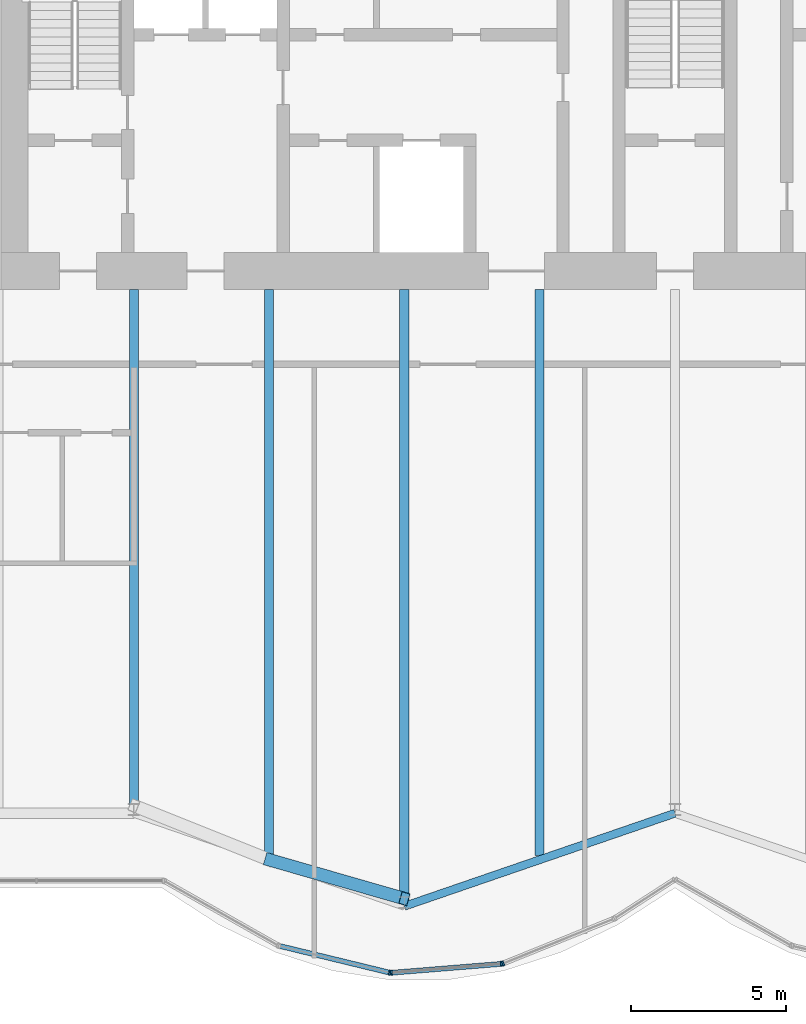
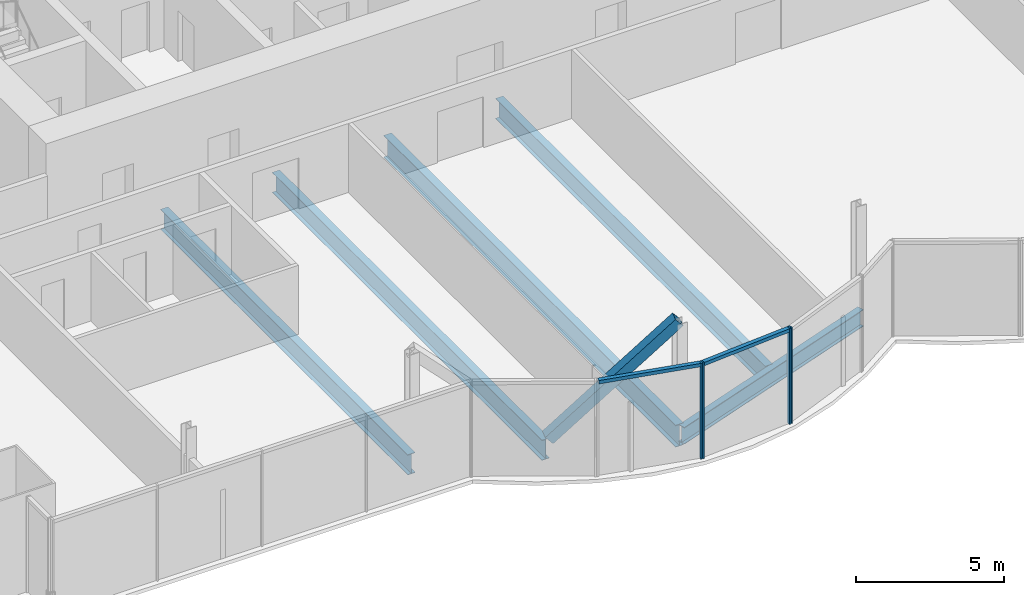
# One storey, part 6 of 20: 7 members, 5 beams, 1 element without a shape of its own.
"""IFC4 building model written with IfcOpenShell, lengths in metres."""

from ifc_helpers import new_model, si_unit, direction, frame, origin, origin_2d, place, context, subcontext, project, spatial, rectangle, hollow_rectangle, i_section, extrude, material, material_profile, profile_set, type_object, element, aggregate, save


model = new_model("IFC4")

# Units and contexts
model_context = context("Model", 3, precision=1e-05, world=origin(), true_north=direction((0.0, 1.0)))
body_context = subcontext(model_context, "Body", "Model", "MODEL_VIEW")
ifc_project = project(units=[si_unit("LENGTHUNIT", "METRE"), si_unit("AREAUNIT", "SQUARE_METRE"), si_unit("VOLUMEUNIT", "CUBIC_METRE"), si_unit("PLANEANGLEUNIT", "RADIAN"), si_unit("MASSUNIT", "GRAM", prefix="KILO")], contexts=[model_context])

# Site, building, storey
site_placement = place(None, origin())
site = spatial("IfcSite", under=ifc_project, at=site_placement, CompositionType="ELEMENT")
building_placement = place(site_placement, origin())
building = spatial("IfcBuilding", under=site, at=building_placement, Name="Bicima Exchange Tower", CompositionType="ELEMENT")
storey_placement = place(building_placement, frame((0.0, 0.0, 207.300048828125)))
storey = spatial("IfcBuildingStorey", under=building, at=storey_placement, Name="L46", CompositionType="ELEMENT", Elevation=207.300048828125)

# Beams
ifc_material_1 = material(Name="Steel ASTM A992 Gr 50", Category="steel")
ifc_material_profile_1 = material_profile(ifc_material_1, i_section(OverallWidth=0.2919921875, OverallDepth=0.835693359375, WebThickness=0.013916015625, FlangeThickness=0.018798828125, at=origin_2d()))
ifc_profile_set_1 = profile_set([ifc_material_profile_1], Name="Steel ASTM A992 Gr 50")
beam_type_1 = type_object("IfcBeamType", Name="Floor beam W33x118", PredefinedType="JOIST", material=ifc_profile_set_1)
beam_1_placement = place(storey_placement, frame((-17.39990234375, -13.0, -0.56787109375), z_axis=(0.0, -1.0, 0.0), x_axis=(1.0, 0.0, 0.0)))
element("IfcBeam", 1, at=beam_1_placement, inside=storey, type_object=beam_type_1, Name="Floor beam", PredefinedType="JOIST", context=body_context, shape_type="SweptSolid", body=[
    extrude(i_section(OverallWidth=0.2919921875, OverallDepth=0.835693359375, WebThickness=0.013916015625, FlangeThickness=0.018798828125, at=origin_2d()), origin(), (0.0, 0.0, 1.0), 16.677490234375),
])
for number, where, z_axis, x_axis, name in (
    (2, (-13.050048828125, -13.0, -0.56787109375), (0.0, -1.0, 0.0), (1.0, 0.0, 0.0), "Floor beam"),
    (3, (-4.35009765625, -13.0, -0.56787109375), (0.0, -1.0, 0.0), (1.0, 0.0, 0.0), "Floor beam"),
):
    element("IfcBeam", number, at=place(storey_placement, frame(where, z_axis=z_axis, x_axis=x_axis)), inside=storey, type_object=beam_type_1, Name=name, PredefinedType="JOIST", context=body_context, shape_type="SweptSolid", body=[
        extrude(i_section(OverallWidth=0.2919921875, OverallDepth=0.835693359375, WebThickness=0.013916015625, FlangeThickness=0.018798828125, at=origin_2d()), origin(), (0.0, 0.0, 1.0), 18.199951171875),
    ])
ifc_material_profile_2 = material_profile(ifc_material_1, i_section(OverallWidth=0.3046875, OverallDepth=0.904296875, WebThickness=0.01513671875, FlangeThickness=0.02001953125, at=origin_2d()))
ifc_profile_set_2 = profile_set([ifc_material_profile_2], Name="Steel ASTM A992 Gr 50")
beam_type_2 = type_object("IfcBeamType", Name="Floor beam W36x135", PredefinedType="JOIST", material=ifc_profile_set_2)
beam_2_placement = place(storey_placement, frame((-8.699951171875, -13.0, -0.60205078125), z_axis=(0.0, -1.0, 0.0), x_axis=(1.0, 0.0, 0.0)))
element("IfcBeam", 4, at=beam_2_placement, inside=storey, type_object=beam_type_2, Name="Floor beam", PredefinedType="JOIST", context=body_context, shape_type="SweptSolid", body=[
    extrude(i_section(OverallWidth=0.3046875, OverallDepth=0.904296875, WebThickness=0.01513671875, FlangeThickness=0.02001953125, at=origin_2d()), origin(), (0.0, 0.0, 1.0), 19.6953125),
])
ifc_material_profile_3 = material_profile(ifc_material_1, i_section(OverallWidth=0.256591796875, OverallDepth=0.693359375, WebThickness=0.014404296875, FlangeThickness=0.023681640625, at=origin_2d()))
ifc_profile_set_3 = profile_set([ifc_material_profile_3], Name="Steel ASTM A992 Gr 50")
beam_type_3 = type_object("IfcBeamType", Name="Front girder W27x114", PredefinedType="BEAM", material=ifc_profile_set_3)
beam_3_placement = place(storey_placement, frame((-8.699951171875, -32.8310546875, -0.496826171875), z_axis=(0.945674616091, 0.32511462668, 0.0), x_axis=(-0.32511462668, 0.945674616091, 0.0)))
element("IfcBeam", 5, at=beam_3_placement, inside=storey, type_object=beam_type_3, Name="Front girder", PredefinedType="BEAM", context=body_context, shape_type="SweptSolid", body=[
    extrude(i_section(OverallWidth=0.256591796875, OverallDepth=0.693359375, WebThickness=0.014404296875, FlangeThickness=0.023681640625, at=origin_2d()), origin(), (0.0, 0.0, 1.0), 9.19970703125),
])

# Curtain wall, members
ifc_material_2 = material(Name="Anodised bronze aluminium", Category="aluminium")
curtain_wall_type = type_object("IfcCurtainWallType", Name="Front glass wall", PredefinedType="NOTDEFINED", material=ifc_material_2)
curtain_wall_placement = place(storey_placement, origin())
curtain_wall = element("IfcCurtainWall", 6, at=curtain_wall_placement, inside=storey, type_object=curtain_wall_type, Name="Front glass wall L46 run 6", PredefinedType="NOTDEFINED")
ifc_material_profile_4 = material_profile(ifc_material_2, rectangle(XDim=0.159912109375, YDim=0.06005859375, at=origin_2d()))
ifc_profile_set_4 = profile_set([ifc_material_profile_4], Name="Anodised bronze aluminium")
member_type_1 = type_object("IfcMemberType", Name="Front glass wall mullion 60 x 160", PredefinedType="MULLION", material=ifc_profile_set_4)
member_1_placement = place(storey_placement, frame((-9.177490234375, -34.9658203125, 0.0), z_axis=(0.0, 0.0, 1.0), x_axis=(0.235681529503, 0.971830343553, 0.0)))
member_1 = element("IfcMember", 7, at=member_1_placement, type_object=member_type_1, Name="Front glass wall mullion 2", PredefinedType="MULLION", context=body_context, shape_type="SweptSolid", body=[
    extrude(rectangle(XDim=0.159912109375, YDim=0.06005859375, at=origin_2d()), origin(), (0.0, 0.0, 1.0), 3.949951171875),
])
member_2_placement = place(storey_placement, frame((-9.118408203125, -34.970703125, 0.0), z_axis=(0.0, 0.0, 1.0), x_axis=(-0.080588612633, 0.99674744821, 0.0)))
member_2 = element("IfcMember", 8, at=member_2_placement, type_object=member_type_1, Name="Front glass wall mullion 1", PredefinedType="MULLION", context=body_context, shape_type="SweptSolid", body=[
    extrude(rectangle(XDim=0.159912109375, YDim=0.06005859375, at=origin_2d()), origin(), (0.0, 0.0, 1.0), 3.949951171875),
])
member_3_placement = place(storey_placement, frame((-5.583984375, -34.684814453125, 0.0), z_axis=(0.0, 0.0, 1.0), x_axis=(-0.080588612633, 0.99674744821, 0.0)))
member_3 = element("IfcMember", 9, at=member_3_placement, type_object=member_type_1, Name="Front glass wall mullion 2", PredefinedType="MULLION", context=body_context, shape_type="SweptSolid", body=[
    extrude(rectangle(XDim=0.159912109375, YDim=0.06005859375, at=origin_2d()), origin(), (0.0, 0.0, 1.0), 3.949951171875),
])
member_4_placement = place(storey_placement, frame((-5.526123046875, -34.671142578125, 0.0), z_axis=(0.0, 0.0, 1.0), x_axis=(-0.374705304, 0.92714396679, 0.0)))
member_4 = element("IfcMember", 10, at=member_4_placement, type_object=member_type_1, Name="Front glass wall mullion 1", PredefinedType="MULLION", context=body_context, shape_type="SweptSolid", body=[
    extrude(rectangle(XDim=0.159912109375, YDim=0.06005859375, at=origin_2d()), origin(), (0.0, 0.0, 1.0), 3.949951171875),
])
ifc_material_profile_5 = material_profile(ifc_material_2, rectangle(XDim=0.159912109375, YDim=0.139892578125, at=origin_2d()))
ifc_profile_set_5 = profile_set([ifc_material_profile_5], Name="Anodised bronze aluminium")
member_type_2 = type_object("IfcMemberType", Name="Front glass wall transom 140 x 160", PredefinedType="USERDEFINED", material=ifc_profile_set_5)
member_5_placement = place(storey_placement, frame((-12.68896484375, -34.1142578125, 3.8798828125), z_axis=(0.971817951661, -0.235732621477, 0.0), x_axis=(0.235732621477, 0.971817951661, 0.0)))
member_5 = element("IfcMember", 11, at=member_5_placement, type_object=member_type_2, Name="Front glass wall transom 1.1", ObjectType="TRANSOM", PredefinedType="USERDEFINED", context=body_context, shape_type="SweptSolid", body=[
    extrude(rectangle(XDim=0.159912109375, YDim=0.139892578125, at=origin_2d()), origin(), (0.0, 0.0, 1.0), 3.58349609375),
])
member_6_placement = place(storey_placement, frame((-9.08837890625, -34.96826171875, 3.8798828125), z_axis=(0.9967456465, 0.080610893699, 0.0), x_axis=(-0.080610893699, 0.9967456465, 0.0)))
member_6 = element("IfcMember", 12, at=member_6_placement, type_object=member_type_2, Name="Front glass wall transom 1.1", ObjectType="TRANSOM", PredefinedType="USERDEFINED", context=body_context, shape_type="SweptSolid", body=[
    extrude(rectangle(XDim=0.159912109375, YDim=0.139892578125, at=origin_2d()), origin(), (0.0, 0.0, 1.0), 3.48583984375),
])
aggregate(curtain_wall, [member_1, member_5, member_2, member_3, member_6, member_4])

# Member
ifc_material_3 = material(Name="Steel ASTM A572 Gr 50", Category="steel")
ifc_material_profile_6 = material_profile(ifc_material_3, hollow_rectangle(XDim=0.406494140625, YDim=0.406494140625, WallThickness=0.0146484375, at=origin_2d()))
ifc_profile_set_6 = profile_set([ifc_material_profile_6], Name="Steel ASTM A572 Gr 50")
member_type_3 = type_object("IfcMemberType", Name="Mega brace HSS16x16x5/8", PredefinedType="BRACE", material=ifc_profile_set_6)
member_7_placement = place(storey_placement, frame((-13.050048828125, -31.33544921875, 0.0), z_axis=(0.712280173437, -0.204953443103, 0.671305474943), x_axis=(0.276522876258, 0.961007335511, 0.0)))
element("IfcMember", 13, at=member_7_placement, inside=storey, type_object=member_type_3, Name="Mega brace front", PredefinedType="BRACE", context=body_context, shape_type="SweptSolid", body=[
    extrude(hollow_rectangle(XDim=0.406494140625, YDim=0.406494140625, WallThickness=0.0146484375, at=origin_2d()), origin(), (0.0, 0.0, 1.0), 6.107177734375),
])

save(model, "model.ifc")
